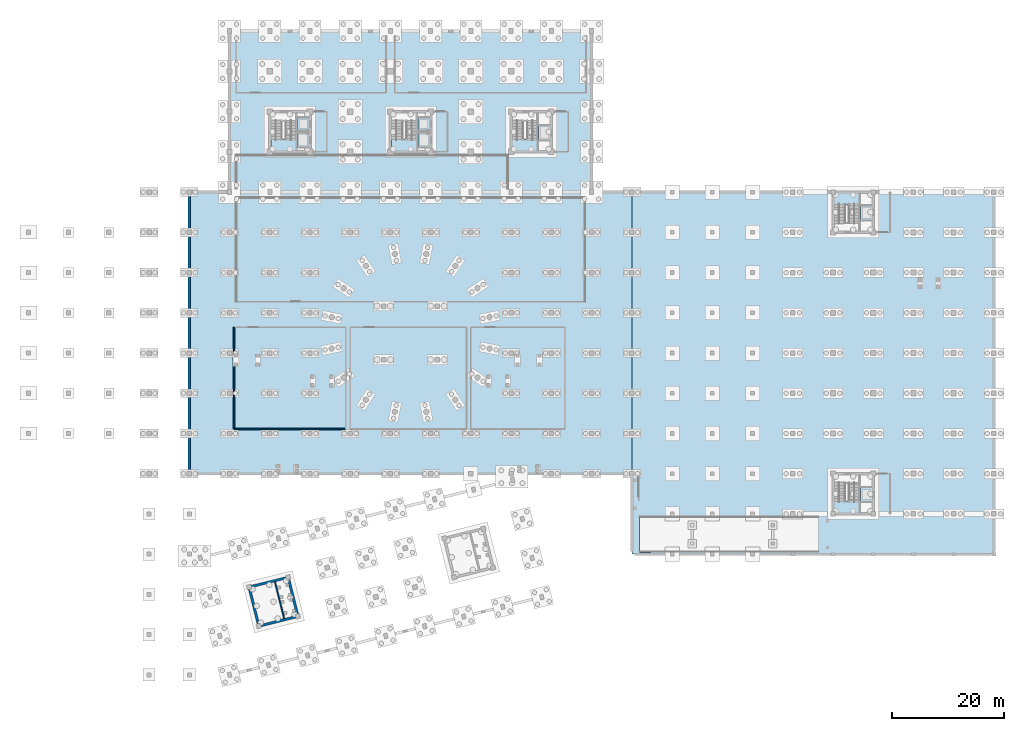
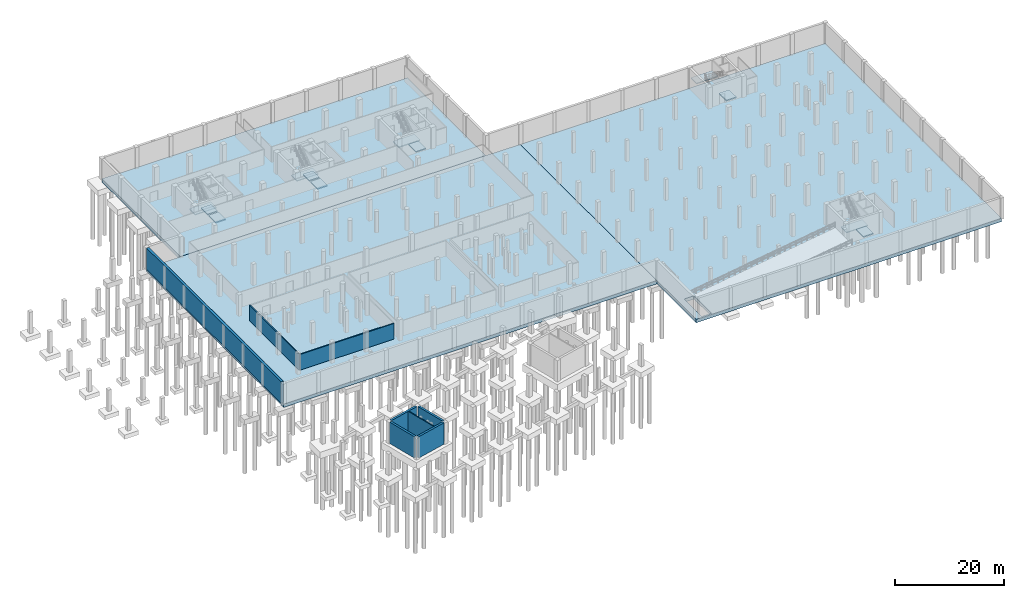
# One storey, part 9 of 19: 15 slabs, 8 walls, 5 elements without a shape of their own.
"""IFC4 building model written with IfcOpenShell, lengths in metres."""

from ifc_helpers import new_model, si_unit, direction, frame, frame_2d, origin, place, context, subcontext, project, spatial, polyline, rectangle, outline, extrude, material, layer, layer_set, type_object, element, aggregate, save


model = new_model("IFC4")

# Units and contexts
model_context = context("Model", 3, precision=1e-05, world=origin(), true_north=direction((0.0, 1.0)))
body_context = subcontext(model_context, "Body", "Model", "MODEL_VIEW")
ifc_project = project(units=[si_unit("LENGTHUNIT", "METRE"), si_unit("AREAUNIT", "SQUARE_METRE"), si_unit("VOLUMEUNIT", "CUBIC_METRE"), si_unit("PLANEANGLEUNIT", "RADIAN"), si_unit("MASSUNIT", "GRAM", prefix="KILO")], contexts=[model_context])

# Site, building, storey
site_placement = place(None, origin())
site = spatial("IfcSite", under=ifc_project, at=site_placement, CompositionType="ELEMENT")
building_placement = place(site_placement, origin())
building = spatial("IfcBuilding", under=site, at=building_placement, Name="Qiaolan Assembly House", CompositionType="ELEMENT")
storey_placement = place(building_placement, frame((0.0, 0.0, -4.800048828125)))
storey = spatial("IfcBuildingStorey", under=building, at=storey_placement, Name="B1", CompositionType="ELEMENT", Elevation=-4.800048828125)

# Slabs
ifc_material_1 = material(Name="Concrete C45/55", Category="concrete")
ifc_layer_1 = layer(ifc_material_1, 0.75)
ifc_layer_set_1 = layer_set([ifc_layer_1], Name="Concrete C45/55")
slab_type_1 = type_object("IfcSlabType", Name="SLB-BASE-750", PredefinedType="BASESLAB", material=ifc_layer_set_1)
slab_1_placement = place(storey_placement, frame((0.0, 0.0, -0.75)))
element("IfcSlab", 1, at=slab_1_placement, inside=storey, type_object=slab_type_1, Name="B1 North-West Wing Base Slab", PredefinedType="BASESLAB", context=body_context, shape_type="SweptSolid", body=[
    extrude(outline(polyline([(36.0, 86.39990234375), (100.800048828125, 86.39990234375), (100.800048828125, 115.199951171875), (36.0, 115.199951171875), (36.0, 86.39990234375)])), origin(), (0.0, 0.0, 1.0), 0.75),
])
slab_2_placement = place(storey_placement, frame((0.0, 0.0, -0.75)))
element("IfcSlab", 2, at=slab_2_placement, inside=storey, type_object=slab_type_1, Name="B1 Central Hall & Plant Base Slab", PredefinedType="BASESLAB", context=body_context, shape_type="SweptSolid", body=[
    extrude(outline(polyline([(28.800048828125, 36.0), (108.0, 36.0), (108.0, 86.39990234375), (28.800048828125, 86.39990234375), (28.800048828125, 36.0)])), origin(), (0.0, 0.0, 1.0), 0.75),
])
slab_3_placement = place(storey_placement, frame((0.0, 0.0, -0.75)))
element("IfcSlab", 3, at=slab_3_placement, inside=storey, type_object=slab_type_1, Name="B1 East Library & Car Park Base Slab", PredefinedType="BASESLAB", context=body_context, shape_type="SweptSolid", body=[
    extrude(outline(polyline([(108.0, 21.60009765625), (172.800048828125, 21.60009765625), (172.800048828125, 86.39990234375), (108.0, 86.39990234375), (108.0, 21.60009765625)]), holes=[polyline([(109.3798828125, 21.929931640625), (109.3798828125, 28.3701171875), (111.4599609375, 28.3701171875), (111.4599609375, 21.929931640625), (109.3798828125, 21.929931640625)])]), origin(), (0.0, 0.0, 1.0), 0.75),
])
ifc_material_2 = material(Name="Concrete C40/50", Category="concrete")
ifc_layer_2 = layer(ifc_material_2, 0.25)
ifc_layer_set_2 = layer_set([ifc_layer_2], Name="Concrete C40/50")
slab_type_2 = type_object("IfcSlabType", Name="SLB-COMM-250", PredefinedType="FLOOR", material=ifc_layer_set_2)
slab_4_placement = place(storey_placement, frame((0.0, 0.0, -1.64990234375)))
element("IfcSlab", 4, at=slab_4_placement, inside=storey, type_object=slab_type_2, Name="Lift pit base slab LF-01", PredefinedType="FLOOR", context=body_context, shape_type="SweptSolid", body=[
    extrude(outline(polyline([(48.10009765625, 94.39990234375), (48.10009765625, 97.050048828125), (50.25, 97.050048828125), (50.25, 94.39990234375), (48.10009765625, 94.39990234375)])), origin(), (0.0, 0.0, 1.0), 0.25),
])
slab_5_placement = place(storey_placement, frame((0.0, 0.0, -1.64990234375)))
element("IfcSlab", 5, at=slab_5_placement, inside=storey, type_object=slab_type_2, Name="Lift pit base slab LF-02", PredefinedType="FLOOR", context=body_context, shape_type="SweptSolid", body=[
    extrude(outline(polyline([(48.10009765625, 97.39990234375), (48.10009765625, 99.800048828125), (50.25, 99.800048828125), (50.25, 97.39990234375), (48.10009765625, 97.39990234375)])), origin(), (0.0, 0.0, 1.0), 0.25),
])
slab_6_placement = place(storey_placement, frame((0.0, 0.0, -1.64990234375)))
element("IfcSlab", 6, at=slab_6_placement, inside=storey, type_object=slab_type_2, Name="Lift pit base slab LF-03", PredefinedType="FLOOR", context=body_context, shape_type="SweptSolid", body=[
    extrude(outline(polyline([(69.699951171875, 94.39990234375), (69.699951171875, 97.050048828125), (71.85009765625, 97.050048828125), (71.85009765625, 94.39990234375), (69.699951171875, 94.39990234375)])), origin(), (0.0, 0.0, 1.0), 0.25),
])
slab_7_placement = place(storey_placement, frame((0.0, 0.0, -1.64990234375)))
element("IfcSlab", 7, at=slab_7_placement, inside=storey, type_object=slab_type_2, Name="Lift pit base slab LF-04", PredefinedType="FLOOR", context=body_context, shape_type="SweptSolid", body=[
    extrude(outline(polyline([(69.699951171875, 97.39990234375), (69.699951171875, 99.800048828125), (71.85009765625, 99.800048828125), (71.85009765625, 97.39990234375), (69.699951171875, 97.39990234375)])), origin(), (0.0, 0.0, 1.0), 0.25),
])
slab_8_placement = place(storey_placement, frame((0.0, 0.0, -1.64990234375)))
element("IfcSlab", 8, at=slab_8_placement, inside=storey, type_object=slab_type_2, Name="Lift pit base slab LF-05", PredefinedType="FLOOR", context=body_context, shape_type="SweptSolid", body=[
    extrude(outline(polyline([(91.300048828125, 95.64990234375), (91.300048828125, 98.39990234375), (93.449951171875, 98.39990234375), (93.449951171875, 95.64990234375), (91.300048828125, 95.64990234375)])), origin(), (0.0, 0.0, 1.0), 0.25),
])
slab_9_placement = place(storey_placement, frame((0.0, 0.0, -1.64990234375)))
element("IfcSlab", 9, at=slab_9_placement, inside=storey, type_object=slab_type_2, Name="Lift pit base slab LF-09", PredefinedType="FLOOR", context=body_context, shape_type="SweptSolid", body=[
    extrude(outline(polyline([(148.89990234375, 30.949951171875), (148.89990234375, 33.64990234375), (151.050048828125, 33.64990234375), (151.050048828125, 30.949951171875), (148.89990234375, 30.949951171875)])), origin(), (0.0, 0.0, 1.0), 0.25),
])
slab_10_placement = place(storey_placement, frame((0.0, 0.0, -1.64990234375)))
element("IfcSlab", 10, at=slab_10_placement, inside=storey, type_object=slab_type_2, Name="Lift pit base slab LF-10", PredefinedType="FLOOR", context=body_context, shape_type="SweptSolid", body=[
    extrude(outline(polyline([(148.89990234375, 81.35009765625), (148.89990234375, 84.050048828125), (151.050048828125, 84.050048828125), (151.050048828125, 81.35009765625), (148.89990234375, 81.35009765625)])), origin(), (0.0, 0.0, 1.0), 0.25),
])

# Stair, slab
stair_type = type_object("IfcStairType", Name="STR-BSMT-480", PredefinedType="HALF_TURN_STAIR", material=ifc_material_2)
stair_1_placement = place(storey_placement, origin())
stair_1 = element("IfcStair", 11, at=stair_1_placement, inside=storey, type_object=stair_type, Name="ST-04 enclosed egress stair CORE-A B1", PredefinedType="HALF_TURN_STAIR")
ifc_layer_3 = layer(ifc_material_2, 0.199951171875)
ifc_layer_set_3 = layer_set([ifc_layer_3], Name="Concrete C40/50")
slab_type_3 = type_object("IfcSlabType", Name="SLB-LANDING-200", PredefinedType="LANDING", material=ifc_layer_set_3)
slab_11_placement = place(storey_placement, frame((0.0, 0.0, 2.199951171875)))
slab_11 = element("IfcSlab", 12, at=slab_11_placement, type_object=slab_type_3, Name="Stair landing LND-CORE-A-B1-HL", PredefinedType="LANDING", context=body_context, shape_type="SweptSolid", body=[
    extrude(outline(polyline([(43.3798828125, 93.780029296875), (43.3798828125, 95.909912109375), (47.919921875, 95.909912109375), (47.919921875, 93.780029296875), (43.3798828125, 93.780029296875)])), origin(), (0.0, 0.0, 1.0), 0.2001953125),
])
aggregate(stair_1, [slab_11])

stair_2_placement = place(storey_placement, origin())
stair_2 = element("IfcStair", 13, at=stair_2_placement, inside=storey, type_object=stair_type, Name="ST-04 enclosed egress stair CORE-B B1", PredefinedType="HALF_TURN_STAIR")
slab_12_placement = place(storey_placement, frame((0.0, 0.0, 2.199951171875)))
slab_12 = element("IfcSlab", 14, at=slab_12_placement, type_object=slab_type_3, Name="Stair landing LND-CORE-B-B1-HL", PredefinedType="LANDING", context=body_context, shape_type="SweptSolid", body=[
    extrude(outline(polyline([(64.97998046875, 93.780029296875), (64.97998046875, 95.909912109375), (69.52001953125, 95.909912109375), (69.52001953125, 93.780029296875), (64.97998046875, 93.780029296875)])), origin(), (0.0, 0.0, 1.0), 0.2001953125),
])
aggregate(stair_2, [slab_12])

stair_3_placement = place(storey_placement, origin())
stair_3 = element("IfcStair", 15, at=stair_3_placement, inside=storey, type_object=stair_type, Name="ST-04 enclosed egress stair CORE-G B1", PredefinedType="HALF_TURN_STAIR")
slab_13_placement = place(storey_placement, frame((0.0, 0.0, 2.199951171875)))
slab_13 = element("IfcSlab", 16, at=slab_13_placement, type_object=slab_type_3, Name="Stair landing LND-CORE-G-B1-HL", PredefinedType="LANDING", context=body_context, shape_type="SweptSolid", body=[
    extrude(outline(polyline([(86.580078125, 93.780029296875), (86.580078125, 95.909912109375), (91.1201171875, 95.909912109375), (91.1201171875, 93.780029296875), (86.580078125, 93.780029296875)])), origin(), (0.0, 0.0, 1.0), 0.2001953125),
])
aggregate(stair_3, [slab_13])

stair_4_placement = place(storey_placement, origin())
stair_4 = element("IfcStair", 17, at=stair_4_placement, inside=storey, type_object=stair_type, Name="ST-04 enclosed egress stair CORE-E B1", PredefinedType="HALF_TURN_STAIR")
slab_14_placement = place(storey_placement, frame((0.0, 0.0, 2.199951171875)))
slab_14 = element("IfcSlab", 18, at=slab_14_placement, type_object=slab_type_3, Name="Stair landing LND-CORE-E-B1-HL", PredefinedType="LANDING", context=body_context, shape_type="SweptSolid", body=[
    extrude(outline(polyline([(144.179931640625, 28.97998046875), (144.179931640625, 31.110107421875), (148.719970703125, 31.110107421875), (148.719970703125, 28.97998046875), (144.179931640625, 28.97998046875)])), origin(), (0.0, 0.0, 1.0), 0.2001953125),
])
aggregate(stair_4, [slab_14])

stair_5_placement = place(storey_placement, origin())
stair_5 = element("IfcStair", 19, at=stair_5_placement, inside=storey, type_object=stair_type, Name="ST-04 enclosed egress stair CORE-F B1", PredefinedType="HALF_TURN_STAIR")
slab_15_placement = place(storey_placement, frame((0.0, 0.0, 2.199951171875)))
slab_15 = element("IfcSlab", 20, at=slab_15_placement, type_object=slab_type_3, Name="Stair landing LND-CORE-F-B1-HL", PredefinedType="LANDING", context=body_context, shape_type="SweptSolid", body=[
    extrude(outline(polyline([(144.179931640625, 84.090087890625), (144.179931640625, 86.219970703125), (148.719970703125, 86.219970703125), (148.719970703125, 84.090087890625), (144.179931640625, 84.090087890625)])), origin(), (0.0, 0.0, 1.0), 0.2001953125),
])
aggregate(stair_5, [slab_15])

# Walls
ifc_layer_4 = layer(ifc_material_1, 0.5)
ifc_layer_set_4 = layer_set([ifc_layer_4], Name="Concrete C45/55")
wall_type_1 = type_object("IfcWallType", Name="WAL-BSMT-500", PredefinedType="STANDARD", material=ifc_layer_set_4)
wall_1_placement = place(storey_placement, frame((28.800048828125, 36.449951171875, 0.0), z_axis=(0.0, 0.0, 1.0), x_axis=(0.0, 1.0, 0.0)))
element("IfcWall", 21, at=wall_1_placement, inside=storey, type_object=wall_type_1, Name="BW-500 basement retaining wall HALL-W", PredefinedType="STANDARD", context=body_context, shape_type="SweptSolid", body=[
    extrude(rectangle(XDim=49.5, YDim=0.5, at=frame_2d((24.75, 0.0))), origin(), (0.0, 0.0, 1.0), 4.800048828125),
])
ifc_material_3 = material(Name="Concrete C50/60", Category="concrete")
ifc_layer_5 = layer(ifc_material_3, 0.449951171875)
ifc_layer_set_5 = layer_set([ifc_layer_5], Name="Concrete C50/60")
wall_type_2 = type_object("IfcWallType", Name="WAL-CORE-450", PredefinedType="SHEAR", material=ifc_layer_set_5)
for number, where, z_axis, x_axis, name in (
    (22, (41.583984375, 8.812744140625, 0.0), (0.0, 0.0, 1.0), (0.970294759049, 0.241925774902, 0.0), "CW-450 shear core wall CORE-C S B1"),
    (23, (48.145751953125, 10.809326171875, 0.0), (0.0, 0.0, 1.0), (-0.241925774902, 0.970294759049, 0.0), "CW-450 shear core wall CORE-C E B1"),
    (24, (46.14892578125, 17.371337890625, 0.0), (0.0, 0.0, 1.0), (-0.970294759049, -0.241925774902, 0.0), "CW-450 shear core wall CORE-C N B1"),
    (25, (39.587158203125, 15.37451171875, 0.0), (0.0, 0.0, 1.0), (0.241925774902, -0.970294759049, 0.0), "CW-450 shear core wall CORE-C W B1"),
):
    element("IfcWall", number, at=place(storey_placement, frame(where, z_axis=z_axis, x_axis=x_axis)), inside=storey, type_object=wall_type_2, Name=name, PredefinedType="SHEAR", context=body_context, shape_type="SweptSolid", body=[
        extrude(rectangle(XDim=6.5, YDim=0.449951171875, at=frame_2d((3.25, 0.0))), origin(), (0.0, 0.0, 1.0), 4.800048828125),
    ])
ifc_material_4 = material(Name="Concrete C35/45", Category="concrete")
ifc_layer_6 = layer(ifc_material_4, 0.199951171875)
ifc_layer_set_6 = layer_set([ifc_layer_6], Name="Concrete C35/45")
wall_type_3 = type_object("IfcWallType", Name="WAL-LOBBY-200", PredefinedType="PARTITIONING", material=ifc_layer_set_6)
wall_2_placement = place(storey_placement, frame((36.800048828125, 62.199951171875, 0.0), z_axis=(0.0, 0.0, 1.0), x_axis=(0.0, -1.0, 0.0)))
element("IfcWall", 26, at=wall_2_placement, inside=storey, type_object=wall_type_3, Name="District Chiller & Heat-Pump Plant Room west wall", PredefinedType="PARTITIONING", context=body_context, shape_type="SweptSolid", body=[
    extrude(rectangle(XDim=18.199951171875, YDim=0.199951171875, at=frame_2d((9.10009765625, 0.0))), origin(), (0.0, 0.0, 1.0), 3.52001953125),
])
wall_3_placement = place(storey_placement, frame((56.800048828125, 44.0, 0.0), z_axis=(0.0, 0.0, 1.0), x_axis=(-1.0, 0.0, 0.0)))
element("IfcWall", 27, at=wall_3_placement, inside=storey, type_object=wall_type_3, Name="District Chiller & Heat-Pump Plant Room south wall", PredefinedType="PARTITIONING", context=body_context, shape_type="SweptSolid", body=[
    extrude(rectangle(XDim=20.0, YDim=0.199951171875, at=frame_2d((10.0, 0.0))), origin(), (0.0, 0.0, 1.0), 3.52001953125),
])
ifc_layer_7 = layer(ifc_material_2, 0.22509765625)
ifc_layer_set_7 = layer_set([ifc_layer_7], Name="Concrete C40/50")
wall_type_4 = type_object("IfcWallType", Name="WAL-STAIR-DIV-225", PredefinedType="SHEAR", material=ifc_layer_set_7)
wall_4_placement = place(storey_placement, frame((45.770751953125, 10.083251953125, 0.0), z_axis=(0.0, 0.0, 1.0), x_axis=(-0.241898249226, 0.970301621673, 0.0)))
element("IfcWall", 28, at=wall_4_placement, inside=storey, type_object=wall_type_4, Name="SDW-225 stairwell structural spine wall CORE-C B1", PredefinedType="SHEAR", context=body_context, shape_type="SweptSolid", body=[
    extrude(rectangle(XDim=6.760009765625, YDim=0.22509765625, at=frame_2d((3.3798828125, 0.0))), origin(), (0.0, 0.0, 1.0), 4.800048828125),
])

save(model, "model.ifc")
